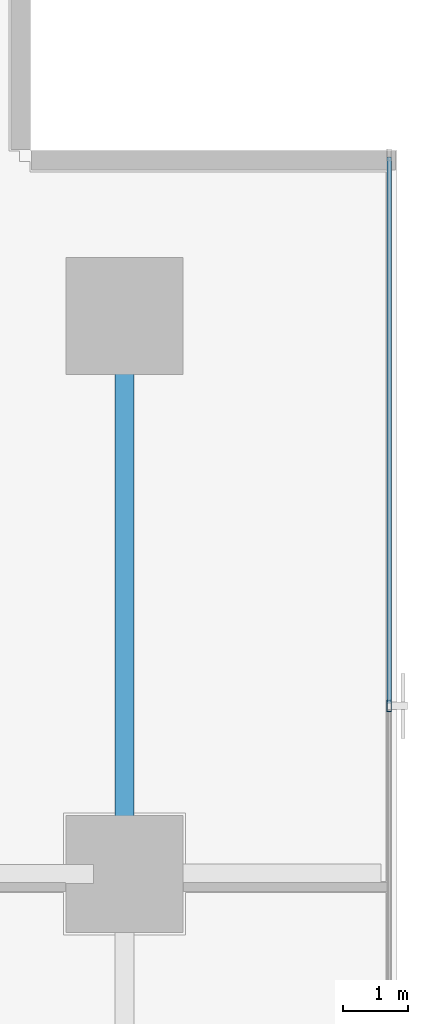
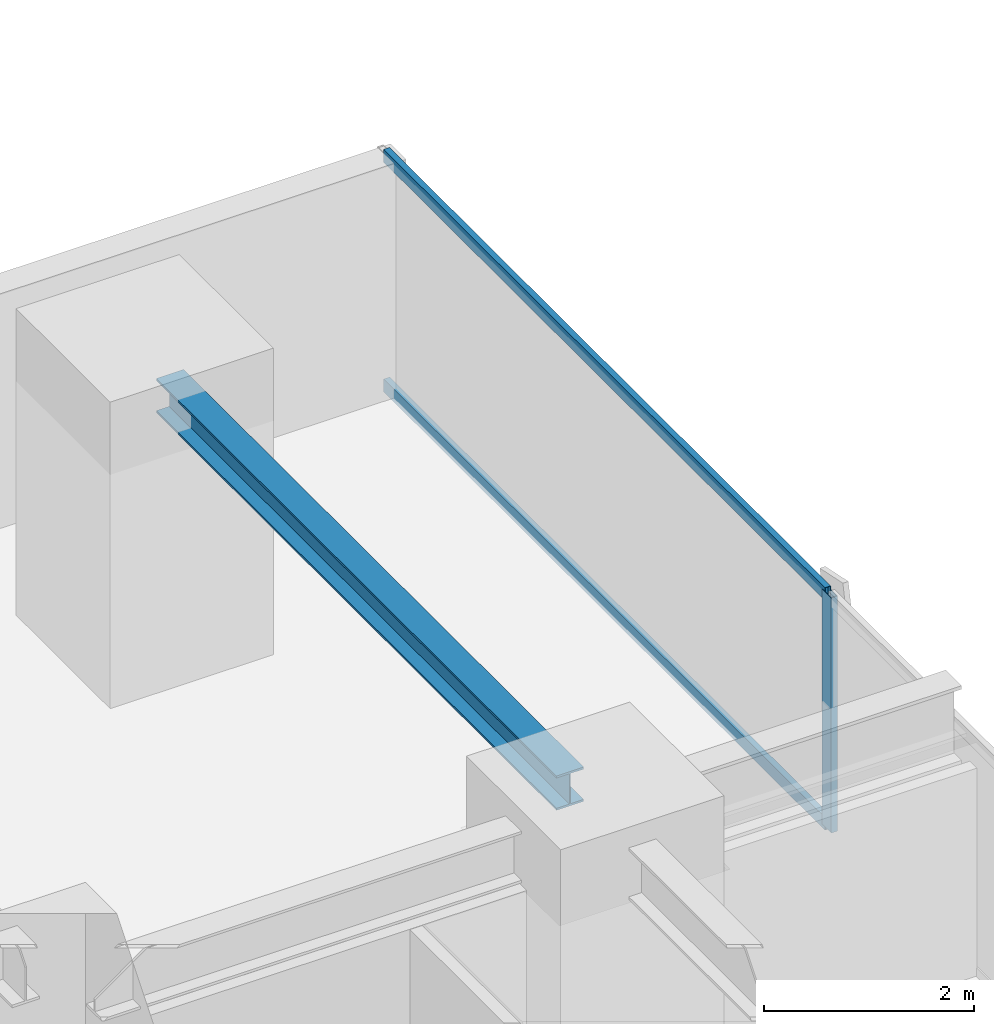
# One storey, part 21 of 34: 3 members, 1 beam, 1 element without a shape of its own.
"""IFC4 building model written with IfcOpenShell, lengths in metres."""

from ifc_helpers import new_model, si_unit, direction, frame, origin, origin_2d, place, context, subcontext, project, spatial, hollow_rectangle, i_section, extrude, source, transform, mapped, material, layer, layer_set, material_profile, profile_set, type_object, element, aggregate, save


model = new_model("IFC4")

# Units and contexts
model_context = context("Model", 3, precision=1e-05, world=origin(), true_north=direction((0.0, 1.0)))
body_context = subcontext(model_context, "Body", "Model", "MODEL_VIEW")
ifc_project = project(units=[si_unit("LENGTHUNIT", "METRE"), si_unit("AREAUNIT", "SQUARE_METRE"), si_unit("VOLUMEUNIT", "CUBIC_METRE"), si_unit("PLANEANGLEUNIT", "RADIAN"), si_unit("MASSUNIT", "GRAM", prefix="KILO")], contexts=[model_context])

# Site, building, storey
site_placement = place(None, origin())
site = spatial("IfcSite", under=ifc_project, at=site_placement, CompositionType="ELEMENT")
building_placement = place(site_placement, origin())
building = spatial("IfcBuilding", under=site, at=building_placement, Name="Sumidabori Civic Tower", CompositionType="ELEMENT")
storey_placement = place(building_placement, frame((0.0, 0.0, 41.60009765625)))
storey = spatial("IfcBuildingStorey", under=building, at=storey_placement, Name="L10", CompositionType="ELEMENT", Elevation=41.60009765625)

# Beam
ifc_material_1 = material(Name="Steel SN490", Category="steel")
ifc_material_profile_1 = material_profile(ifc_material_1, i_section(OverallWidth=0.300048828125, OverallDepth=0.39990234375, WebThickness=0.013427734375, FlangeThickness=0.02392578125, at=origin_2d()), Name="HE 400 B")
ifc_profile_set_1 = profile_set([ifc_material_profile_1], Name="Steel SN490")
beam_type = type_object("IfcBeamType", Name="BM-GIRD-400", PredefinedType="BEAM", material=ifc_profile_set_1)
shared_shape_1 = source(origin(), body_context, "Body", "SweptSolid", [
    extrude(i_section(OverallWidth=0.300048828125, OverallDepth=0.39990234375, WebThickness=0.013427734375, FlangeThickness=0.02392578125, at=origin_2d()), origin(), (0.0, 0.0, 1.0), 7.64013671875),
])
beam_placement = place(storey_placement, frame((22.800048828125, 10.679931640625, 3.159912109375), z_axis=(0.0, 1.0, 0.0), x_axis=(-1.0, 0.0, 0.0)))
element("IfcBeam", 1, at=beam_placement, inside=storey, type_object=beam_type, Name="Primary Girder L10 GY-42", PredefinedType="BEAM", context=body_context, shape_type="MappedRepresentation", body=[
    mapped(shared_shape_1, transform((0.0, 0.0, 0.0), x_axis=(1.0, 0.0, 0.0), y_axis=(0.0, 1.0, 0.0), z_axis=(0.0, 0.0, 1.0), scale=1.0)),
])

# Curtain wall, members
ifc_material_2 = material(Name="Anodised Bronze Aluminium AW-6063-T6", Category="aluminium")
ifc_layer = layer(ifc_material_2, 0.179931640625, Name="Anodised Bronze Aluminium AW-6063-T6")
ifc_layer_set = layer_set([ifc_layer], Name="Anodised Bronze Aluminium AW-6063-T6")
curtain_wall_type = type_object("IfcCurtainWallType", Name="CW-SYS-2", PredefinedType="NOTDEFINED", material=ifc_layer_set)
curtain_wall_placement = place(storey_placement, origin())
curtain_wall = element("IfcCurtainWall", 2, at=curtain_wall_placement, inside=storey, type_object=curtain_wall_type, Name="Curtain Wall CW:L10:R04", PredefinedType="NOTDEFINED")
ifc_material_profile_2 = material_profile(ifc_material_2, hollow_rectangle(XDim=0.070068359375, YDim=0.179931640625, WallThickness=0.006103515625, at=origin_2d()), Name="ALU MULLION 180x70")
ifc_profile_set_2 = profile_set([ifc_material_profile_2], Name="Anodised Bronze Aluminium AW-6063-T6")
member_type_1 = type_object("IfcMemberType", Name="CW-MUL-180", PredefinedType="MULLION", material=ifc_profile_set_2)
shared_shape_2 = source(origin(), body_context, "Body", "SweptSolid", [
    extrude(hollow_rectangle(XDim=0.070068359375, YDim=0.179931640625, WallThickness=0.006103515625, at=origin_2d()), origin(), (0.0, 0.0, 1.0), 2.739990234375),
])
member_1_placement = place(storey_placement, frame((26.8798828125, 12.7919921875, 0.0), z_axis=(0.0, 0.0, 1.0), x_axis=(-1.0, 0.0, 0.0)))
member_1 = element("IfcMember", 3, at=member_1_placement, type_object=member_type_1, Name="CW-2 mullion 5", PredefinedType="MULLION", context=body_context, shape_type="MappedRepresentation", body=[
    mapped(shared_shape_2, transform((0.0, 0.0, 0.0), x_axis=(1.0, 0.0, 0.0), y_axis=(0.0, 1.0, 0.0), z_axis=(0.0, 0.0, 1.0), scale=1.0)),
])
ifc_material_profile_3 = material_profile(ifc_material_2, hollow_rectangle(XDim=0.06494140625, YDim=0.14990234375, WallThickness=0.0048828125, at=origin_2d()), Name="ALU TRANSOM 150x65")
ifc_profile_set_3 = profile_set([ifc_material_profile_3], Name="Anodised Bronze Aluminium AW-6063-T6")
member_type_2 = type_object("IfcMemberType", Name="CW-TRN-150", PredefinedType="USERDEFINED", material=ifc_profile_set_3)
shared_shape_3 = source(origin(), body_context, "Body", "SweptSolid", [
    extrude(hollow_rectangle(XDim=0.06494140625, YDim=0.14990234375, WallThickness=0.0048828125, at=origin_2d()), origin(), (0.0, 0.0, 1.0), 8.423095703125),
])
member_2_placement = place(storey_placement, frame((26.8798828125, 12.826904296875, 0.032470703125), z_axis=(0.0, 1.0, 0.0), x_axis=(-1.0, 0.0, 0.0)))
member_2 = element("IfcMember", 4, at=member_2_placement, type_object=member_type_2, Name="CW-2 transom 5.1", ObjectType="TRANSOM", PredefinedType="USERDEFINED", context=body_context, shape_type="MappedRepresentation", body=[
    mapped(shared_shape_3, transform((0.0, 0.0, 0.0), x_axis=(1.0, 0.0, 0.0), y_axis=(0.0, 1.0, 0.0), z_axis=(0.0, 0.0, 1.0), scale=1.0)),
])
member_3_placement = place(storey_placement, frame((26.8798828125, 12.826904296875, 2.70751953125), z_axis=(0.0, 1.0, 0.0), x_axis=(-1.0, 0.0, 0.0)))
member_3 = element("IfcMember", 5, at=member_3_placement, type_object=member_type_2, Name="CW-2 transom 5.2", ObjectType="TRANSOM", PredefinedType="USERDEFINED", context=body_context, shape_type="MappedRepresentation", body=[
    mapped(shared_shape_3, transform((0.0, 0.0, 0.0), x_axis=(1.0, 0.0, 0.0), y_axis=(0.0, 1.0, 0.0), z_axis=(0.0, 0.0, 1.0), scale=1.0)),
])
aggregate(curtain_wall, [member_1, member_2, member_3])

save(model, "model.ifc")
